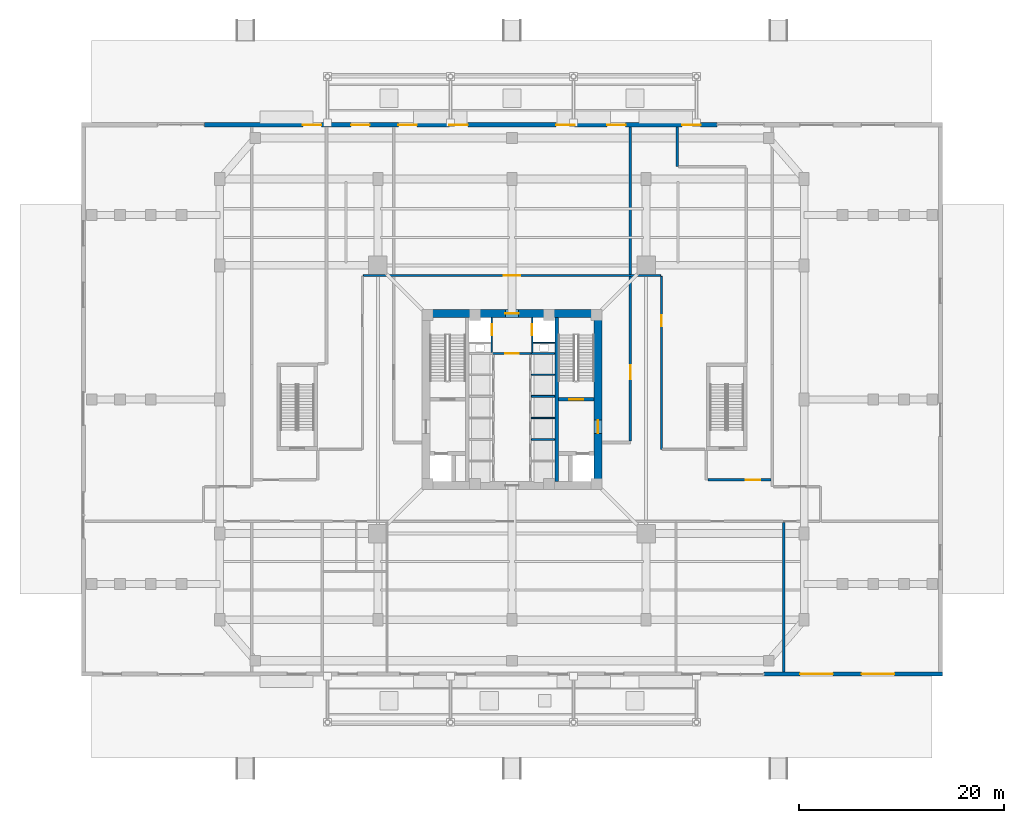
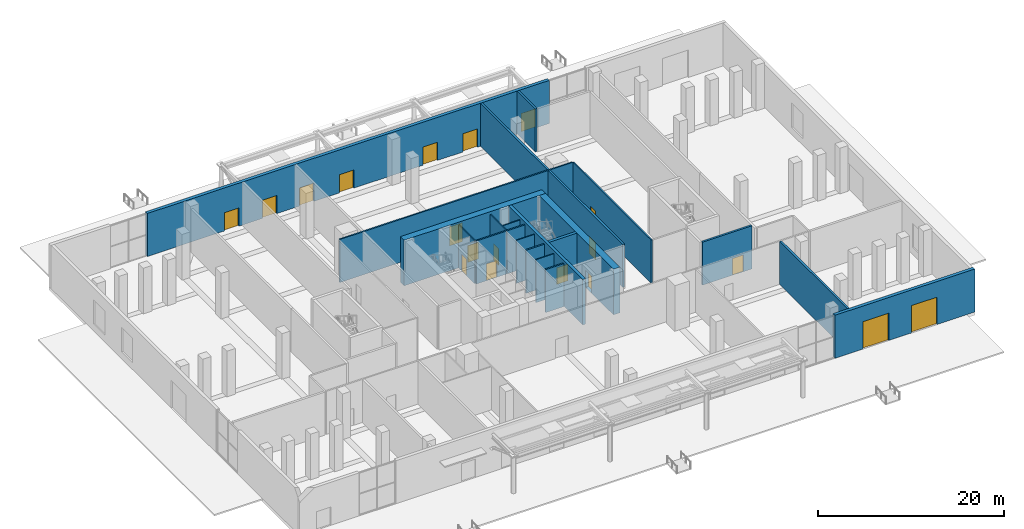
# One storey, part 17 of 25: 21 walls, 19 doors, 19 openings.
"""IFC4 building model written with IfcOpenShell, lengths in metres."""

from ifc_helpers import new_model, si_unit, direction, frame, frame_2d, origin, place, context, subcontext, project, spatial, rectangle, extrude, source, transform, mapped, material, layer, layer_set, type_object, element, fill, save


model = new_model("IFC4")

# Units and contexts
model_context = context("Model", 3, precision=1e-05, world=origin(), true_north=direction((0.0, 1.0)))
body_context = subcontext(model_context, "Body", "Model", "MODEL_VIEW")
ifc_project = project(units=[si_unit("LENGTHUNIT", "METRE"), si_unit("AREAUNIT", "SQUARE_METRE"), si_unit("VOLUMEUNIT", "CUBIC_METRE"), si_unit("PLANEANGLEUNIT", "RADIAN"), si_unit("MASSUNIT", "GRAM", prefix="KILO"), si_unit("THERMODYNAMICTEMPERATUREUNIT", "KELVIN")], contexts=[model_context])

# Site, building, storey
site_placement = place(None, origin())
site = spatial("IfcSite", under=ifc_project, at=site_placement, CompositionType="ELEMENT")
building_placement = place(site_placement, origin())
building = spatial("IfcBuilding", under=site, at=building_placement, Name="Kosmvard Interchange Tower", CompositionType="ELEMENT")
storey_placement = place(building_placement, origin())
storey = spatial("IfcBuildingStorey", under=building, at=storey_placement, Name="L00", CompositionType="ELEMENT", Elevation=0.0)

# Wall, opening, door
ifc_material_1 = material(Name="Fire-rated gypsum partition system")
ifc_layer_1 = layer(ifc_material_1, 0.159912109375, Name="Fire-rated gypsum partition system")
ifc_layer_set_1 = layer_set([ifc_layer_1], Name="Fire-rated gypsum partition system")
wall_type_1 = type_object("IfcWallType", Name="Core Compartment & Shuttle Lobby Partition 160", PredefinedType="PARTITIONING", material=ifc_layer_set_1)
wall_1_placement = place(storey_placement, frame((-1.9599609375, 4.580078125, 0.0), z_axis=(0.0, 0.0, 1.0), x_axis=(0.0, 1.0, 0.0)))
wall_1 = element("IfcWall", 1, at=wall_1_placement, inside=storey, type_object=wall_type_1, Name="L00 North Core West Wall", PredefinedType="PARTITIONING", context=body_context, shape_type="SweptSolid", body=[
    extrude(rectangle(XDim=3.39990234375, YDim=0.159912109375, at=frame_2d((1.699951171875, 0.0))), origin(), (0.0, 0.0, 1.0), 5.659912109375),
])
opening_1_placement = place(wall_1_placement, frame((1.669921875, 0.0, 0.0)))
opening_1 = element("IfcOpeningElement", 2, at=opening_1_placement, cuts=wall_1, Name="Opening LD-OBS1-L00", PredefinedType="OPENING", context=body_context, shape_type="SweptSolid", body=[
    extrude(rectangle(XDim=1.10009765625, YDim=2.199951171875, at=frame_2d((0.550048828125, 1.10009765625))), frame((0.0, 0.08984375, 0.0), z_axis=(0.0, -1.0, 0.0), x_axis=(1.0, 0.0, 0.0)), (0.0, 0.0, 1.0), 0.179931640625),
])
ifc_material_2 = material(Name="Brushed stainless steel sliding leaf", Category="steel")
door_type_1 = type_object("IfcDoorType", Name="Passenger Lift Sliding Landing Door 1100x2200 EI60", OperationType="DOUBLE_DOOR_SLIDING", PredefinedType="DOOR", material=ifc_material_2)
shared_shape_1 = source(origin(), body_context, "Body", "SweptSolid", [
    extrude(rectangle(XDim=1.10009765625, YDim=2.199951171875, at=frame_2d((0.550048828125, 1.10009765625))), frame((0.0, 0.02490234375, 0.0), z_axis=(0.0, -1.0, 0.0), x_axis=(1.0, 0.0, 0.0)), (0.0, 0.0, 1.0), 0.050048828125),
])
door_1_placement = place(opening_1_placement, frame((1.10009765625, 0.0, 0.0), z_axis=(0.0, 0.0, 1.0), x_axis=(-1.0, 0.0, 0.0)))
door_1 = element("IfcDoor", 3, at=door_1_placement, inside=storey, type_object=door_type_1, Name="Lift OBS-1 Landing Door L00", OperationType="DOUBLE_DOOR_SLIDING", OverallHeight=2.199951171875, OverallWidth=1.10009765625, PredefinedType="DOOR", context=body_context, shape_type="MappedRepresentation", body=[
    mapped(shared_shape_1, transform((0.0, 0.0, 0.0), scale=1.0)),
])
fill(opening_1, door_1)

wall_2_placement = place(storey_placement, frame((1.9599609375, 4.580078125, 0.0), z_axis=(0.0, 0.0, 1.0), x_axis=(0.0, 1.0, 0.0)))
wall_2 = element("IfcWall", 4, at=wall_2_placement, inside=storey, type_object=wall_type_1, Name="L00 North Core East Wall", PredefinedType="PARTITIONING", context=body_context, shape_type="SweptSolid", body=[
    extrude(rectangle(XDim=3.39990234375, YDim=0.159912109375, at=frame_2d((1.699951171875, 0.0))), origin(), (0.0, 0.0, 1.0), 5.659912109375),
])
opening_2_placement = place(wall_2_placement, frame((1.669921875, 0.0, 0.0)))
opening_2 = element("IfcOpeningElement", 5, at=opening_2_placement, cuts=wall_2, Name="Opening LD-OBS2-L00", PredefinedType="OPENING", context=body_context, shape_type="SweptSolid", body=[
    extrude(rectangle(XDim=1.10009765625, YDim=2.199951171875, at=frame_2d((0.550048828125, 1.10009765625))), frame((0.0, 0.08984375, 0.0), z_axis=(0.0, -1.0, 0.0), x_axis=(1.0, 0.0, 0.0)), (0.0, 0.0, 1.0), 0.179931640625),
])
door_2_placement = place(opening_2_placement, origin())
door_2 = element("IfcDoor", 6, at=door_2_placement, inside=storey, type_object=door_type_1, Name="Lift OBS-2 Landing Door L00", OperationType="DOUBLE_DOOR_SLIDING", OverallHeight=2.199951171875, OverallWidth=1.10009765625, PredefinedType="DOOR", context=body_context, shape_type="MappedRepresentation", body=[
    mapped(shared_shape_1, transform((0.0, 0.0, 0.0), scale=1.0)),
])
fill(opening_2, door_2)

ifc_layer_2 = layer(ifc_material_1, 0.179931640625, Name="Fire-rated gypsum partition system")
ifc_layer_set_2 = layer_set([ifc_layer_2], Name="Fire-rated gypsum partition system")
wall_type_2 = type_object("IfcWallType", Name="Corridor & Hotel Compartment Partition 180", PredefinedType="PARTITIONING", material=ifc_layer_set_2)
wall_3_placement = place(storey_placement, frame((-1.8798828125, 4.489990234375, 0.0), z_axis=(0.0, 0.0, 1.0), x_axis=(1.0, 0.0, 0.0)))
wall_3 = element("IfcWall", 7, at=wall_3_placement, inside=storey, type_object=wall_type_2, Name="L00 Lift Lobby North Partition", PredefinedType="PARTITIONING", context=body_context, shape_type="SweptSolid", body=[
    extrude(rectangle(XDim=3.759765625, YDim=0.179931640625, at=frame_2d((1.8798828125, 0.0))), origin(), (0.0, 0.0, 1.0), 5.659912109375),
])
opening_3_placement = place(wall_3_placement, frame((1.22998046875, 0.0, 0.0)))
opening_3 = element("IfcOpeningElement", 8, at=opening_3_placement, cuts=wall_3, Name="Opening L00-OD1", PredefinedType="OPENING", context=body_context, shape_type="SweptSolid", body=[
    extrude(rectangle(XDim=1.300048828125, YDim=2.199951171875, at=frame_2d((0.64990234375, 1.10009765625))), frame((0.0, 0.10009765625, 0.0), z_axis=(0.0, -1.0, 0.0), x_axis=(1.0, 0.0, 0.0)), (0.0, 0.0, 1.0), 0.199951171875),
])
ifc_material_3 = material(Name="Painted fire-rated steel leaf", Category="steel")
door_type_2 = type_object("IfcDoorType", Name="Firefighting Lobby Door 1300x2200 EI60", OperationType="NOTDEFINED", PredefinedType="DOOR", material=ifc_material_3)
shared_shape_2 = source(origin(), body_context, "Body", "SweptSolid", [
    extrude(rectangle(XDim=1.300048828125, YDim=2.199951171875, at=frame_2d((0.64990234375, 1.10009765625))), frame((0.0, 0.02490234375, 0.0), z_axis=(0.0, -1.0, 0.0), x_axis=(1.0, 0.0, 0.0)), (0.0, 0.0, 1.0), 0.050048828125),
])
door_3_placement = place(opening_3_placement, origin())
door_3 = element("IfcDoor", 9, at=door_3_placement, inside=storey, type_object=door_type_2, Name="L00 Shuttle Lobby South Door", OperationType="SINGLE_SWING_LEFT", OverallHeight=2.199951171875, OverallWidth=1.300048828125, PredefinedType="DOOR", context=body_context, shape_type="MappedRepresentation", body=[
    mapped(shared_shape_2, transform((0.0, 0.0, 0.0), scale=1.0)),
])
fill(opening_3, door_3)

wall_4_placement = place(storey_placement, frame((14.590087890625, -4.860107421875, 0.0), z_axis=(0.0, 0.0, 1.0), x_axis=(0.0, 1.0, 0.0)))
wall_4 = element("IfcWall", 10, at=wall_4_placement, inside=storey, type_object=wall_type_2, Name="L00 Partition W-CLE", PredefinedType="PARTITIONING", context=body_context, shape_type="SweptSolid", body=[
    extrude(rectangle(XDim=16.860107421875, YDim=0.179931640625, at=frame_2d((8.43017578125, 0.0))), origin(), (0.0, 0.0, 1.0), 5.659912109375),
])
opening_4_placement = place(wall_4_placement, frame((12.0, 0.0, 0.0)))
opening_4 = element("IfcOpeningElement", 11, at=opening_4_placement, cuts=wall_4, Name="Opening L00-D12", PredefinedType="OPENING", context=body_context, shape_type="SweptSolid", body=[
    extrude(rectangle(XDim=1.10009765625, YDim=2.199951171875, at=frame_2d((0.550048828125, 1.10009765625))), frame((0.0, 0.10009765625, 0.0), z_axis=(0.0, -1.0, 0.0), x_axis=(1.0, 0.0, 0.0)), (0.0, 0.0, 1.0), 0.199951171875),
])
ifc_material_4 = material(Name="Engineered oak fire-rated timber", Category="wood")
door_type_3 = type_object("IfcDoorType", Name="Office Suite Entrance Door 1100x2200 FD30S", OperationType="NOTDEFINED", PredefinedType="DOOR", material=ifc_material_4)
door_4_placement = place(opening_4_placement, frame((1.10009765625, 0.0, 0.0), z_axis=(0.0, 0.0, 1.0), x_axis=(-1.0, 0.0, 0.0)))
door_4 = element("IfcDoor", 12, at=door_4_placement, inside=storey, type_object=door_type_3, Name="L00 Interior Door 12", OperationType="SINGLE_SWING_RIGHT", OverallHeight=2.199951171875, OverallWidth=1.10009765625, PredefinedType="DOOR", context=body_context, shape_type="MappedRepresentation", body=[
    mapped(shared_shape_1, transform((0.0, 0.0, 0.0), scale=1.0)),
])
fill(opening_4, door_4)

wall_5_placement = place(storey_placement, frame((-14.5, 12.090087890625, 0.0), z_axis=(0.0, 0.0, 1.0), x_axis=(1.0, 0.0, 0.0)))
wall_5 = element("IfcWall", 13, at=wall_5_placement, inside=storey, type_object=wall_type_2, Name="L00 Partition W-CLN", PredefinedType="PARTITIONING", context=body_context, shape_type="SweptSolid", body=[
    extrude(rectangle(XDim=29.0, YDim=0.179931640625, at=frame_2d((14.5, 0.0))), origin(), (0.0, 0.0, 1.0), 5.659912109375),
])
opening_5_placement = place(wall_5_placement, frame((13.699951171875, 0.0, 0.0)))
opening_5 = element("IfcOpeningElement", 14, at=opening_5_placement, cuts=wall_5, Name="Opening L00-D08", PredefinedType="OPENING", context=body_context, shape_type="SweptSolid", body=[
    extrude(rectangle(XDim=1.60009765625, YDim=2.5, at=frame_2d((0.800048828125, 1.25))), frame((0.0, 0.10009765625, 0.0), z_axis=(0.0, -1.0, 0.0), x_axis=(1.0, 0.0, 0.0)), (0.0, 0.0, 1.0), 0.199951171875),
])
ifc_material_5 = material(Name="Anodised aluminium and safety glass", Category="aluminium")
door_type_4 = type_object("IfcDoorType", Name="Concourse Entrance Glazed Door 1600x2500", OperationType="NOTDEFINED", PredefinedType="DOOR", material=ifc_material_5)
shared_shape_3 = source(origin(), body_context, "Body", "SweptSolid", [
    extrude(rectangle(XDim=1.60009765625, YDim=2.5, at=frame_2d((0.800048828125, 1.25))), frame((0.0, 0.02490234375, 0.0), z_axis=(0.0, -1.0, 0.0), x_axis=(1.0, 0.0, 0.0)), (0.0, 0.0, 1.0), 0.050048828125),
])
door_5_placement = place(opening_5_placement, origin())
door_5 = element("IfcDoor", 15, at=door_5_placement, inside=storey, type_object=door_type_4, Name="L00 Interior Door 8", OperationType="SINGLE_SWING_LEFT", OverallHeight=2.5, OverallWidth=1.60009765625, PredefinedType="DOOR", context=body_context, shape_type="MappedRepresentation", body=[
    mapped(shared_shape_3, transform((0.0, 0.0, 0.0), scale=1.0)),
])
fill(opening_5, door_5)

ifc_material_6 = material(Name="Concrete blockwork masonry", Category="masonry")
ifc_layer_3 = layer(ifc_material_6, 0.25, Name="Concrete blockwork masonry")
ifc_layer_set_3 = layer_set([ifc_layer_3], Name="Concrete blockwork masonry")
wall_type_3 = type_object("IfcWallType", Name="Exit Passage & Firefighting Lobby Wall 250", PredefinedType="PARTITIONING", material=ifc_layer_set_3)
wall_6_placement = place(storey_placement, frame((11.550048828125, -4.050048828125, 0.0), z_axis=(0.0, 0.0, 1.0), x_axis=(0.0, 1.0, 0.0)))
wall_6 = element("IfcWall", 16, at=wall_6_placement, inside=storey, type_object=wall_type_3, Name="L00 Exit Passageway E Wall", PredefinedType="PARTITIONING", context=body_context, shape_type="SweptSolid", body=[
    extrude(rectangle(XDim=30.64794921875, YDim=0.25, at=frame_2d((15.323974609375, 0.0))), origin(), (0.0, 0.0, 1.0), 5.659912109375),
])
opening_6_placement = place(wall_6_placement, frame((6.0, 0.0, 0.0)))
opening_6 = element("IfcOpeningElement", 17, at=opening_6_placement, cuts=wall_6, Name="Opening L00-EPDE", PredefinedType="OPENING", context=body_context, shape_type="SweptSolid", body=[
    extrude(rectangle(XDim=1.39990234375, YDim=2.199951171875, at=frame_2d((0.699951171875, 1.10009765625))), frame((0.0, 0.135009765625, 0.0), z_axis=(0.0, -1.0, 0.0), x_axis=(1.0, 0.0, 0.0)), (0.0, 0.0, 1.0), 0.27001953125),
])
door_type_5 = type_object("IfcDoorType", Name="Protected Stair Door 1400x2200 FD60S", OperationType="NOTDEFINED", PredefinedType="DOOR", material=ifc_material_3)
shared_shape_4 = source(origin(), body_context, "Body", "SweptSolid", [
    extrude(rectangle(XDim=1.39990234375, YDim=2.199951171875, at=frame_2d((0.699951171875, 1.10009765625))), frame((0.0, 0.02490234375, 0.0), z_axis=(0.0, -1.0, 0.0), x_axis=(1.0, 0.0, 0.0)), (0.0, 0.0, 1.0), 0.050048828125),
])
door_6_placement = place(opening_6_placement, origin())
door_6 = element("IfcDoor", 18, at=door_6_placement, inside=storey, type_object=door_type_5, Name="L00 Concourse to Exit Passageway E Door", OperationType="SINGLE_SWING_RIGHT", OverallHeight=2.199951171875, OverallWidth=1.39990234375, PredefinedType="DOOR", context=body_context, shape_type="MappedRepresentation", body=[
    mapped(shared_shape_4, transform((0.0, 0.0, 0.0), scale=1.0)),
])
fill(opening_6, door_6)

wall_7_placement = place(storey_placement, frame((19.10009765625, -7.85009765625, 0.0), z_axis=(0.0, 0.0, 1.0), x_axis=(1.0, 0.0, 0.0)))
wall_7 = element("IfcWall", 19, at=wall_7_placement, inside=storey, type_object=wall_type_3, Name="L00 Partition EP4S", PredefinedType="PARTITIONING", context=body_context, shape_type="SweptSolid", body=[
    extrude(rectangle(XDim=6.14990234375, YDim=0.25, at=frame_2d((3.074951171875, 0.0))), origin(), (0.0, 0.0, 1.0), 5.659912109375),
])
opening_7_placement = place(wall_7_placement, frame((3.699951171875, 0.0, 0.0)))
opening_7 = element("IfcOpeningElement", 20, at=opening_7_placement, cuts=wall_7, Name="Opening L00-EPD4", PredefinedType="OPENING", context=body_context, shape_type="SweptSolid", body=[
    extrude(rectangle(XDim=1.39990234375, YDim=2.199951171875, at=frame_2d((0.699951171875, 1.10009765625))), frame((0.0, 0.135009765625, 0.0), z_axis=(0.0, -1.0, 0.0), x_axis=(1.0, 0.0, 0.0)), (0.0, 0.0, 1.0), 0.27001953125),
])
door_7_placement = place(opening_7_placement, origin())
door_7 = element("IfcDoor", 21, at=door_7_placement, inside=storey, type_object=door_type_5, Name="L00 Concourse to Exit Passageway SE Door", OperationType="SINGLE_SWING_RIGHT", OverallHeight=2.199951171875, OverallWidth=1.39990234375, PredefinedType="DOOR", context=body_context, shape_type="MappedRepresentation", body=[
    mapped(shared_shape_4, transform((0.0, 0.0, 0.0), scale=1.0)),
])
fill(opening_7, door_7)

# Walls
wall_8_placement = place(storey_placement, frame((16.1201171875, 22.719970703125, 0.0), z_axis=(0.0, 0.0, 1.0), x_axis=(0.0, 1.0, 0.0)))
element("IfcWall", 22, at=wall_8_placement, inside=storey, type_object=wall_type_3, Name="L00 Partition EP4B2", PredefinedType="PARTITIONING", context=body_context, shape_type="SweptSolid", body=[
    extrude(rectangle(XDim=3.8779296875, YDim=0.25, at=frame_2d((1.93896484375, 0.0))), origin(), (0.0, 0.0, 1.0), 5.659912109375),
])
wall_9_placement = place(storey_placement, frame((26.5, -26.597900390625, 0.0), z_axis=(0.0, 0.0, 1.0), x_axis=(0.0, 1.0, 0.0)))
element("IfcWall", 23, at=wall_9_placement, inside=storey, type_object=wall_type_3, Name="L00 Partition W-LD1", PredefinedType="PARTITIONING", context=body_context, shape_type="SweptSolid", body=[
    extrude(rectangle(XDim=14.597900390625, YDim=0.25, at=frame_2d((7.298828125, 0.0))), origin(), (0.0, 0.0, 1.0), 5.659912109375),
])

# Wall, opening, door
ifc_material_7 = material(Name="Concrete C80/95", Category="concrete")
ifc_layer_4 = layer(ifc_material_7, 0.800048828125, Name="Concrete C80/95")
ifc_layer_set_4 = layer_set([ifc_layer_4], Name="Concrete C80/95")
wall_type_4 = type_object("IfcWallType", Name="Lower Core Shear Wall 800 C80/95", PredefinedType="SHEAR", material=ifc_layer_set_4)
wall_10_placement = place(storey_placement, frame((-8.800048828125, 8.39990234375, 0.0), z_axis=(0.0, 0.0, 1.0), x_axis=(1.0, 0.0, 0.0)))
wall_10 = element("IfcWall", 24, at=wall_10_placement, inside=storey, type_object=wall_type_4, Name="L00 Core Shear Wall CW-N", PredefinedType="SHEAR", context=body_context, shape_type="SweptSolid", body=[
    extrude(rectangle(XDim=17.60009765625, YDim=0.800048828125, at=frame_2d((8.800048828125, 0.0))), origin(), (0.0, 0.0, 1.0), 6.0),
])
opening_8_placement = place(wall_10_placement, frame((8.14990234375, 0.0, 0.0)))
opening_8 = element("IfcOpeningElement", 25, at=opening_8_placement, cuts=wall_10, Name="Opening L00-OD2", PredefinedType="OPENING", context=body_context, shape_type="SweptSolid", body=[
    extrude(rectangle(XDim=1.300048828125, YDim=2.199951171875, at=frame_2d((0.64990234375, 1.10009765625))), frame((0.0, 0.41015625, 0.0), z_axis=(0.0, -1.0, 0.0), x_axis=(1.0, 0.0, 0.0)), (0.0, 0.0, 1.0), 0.820068359375),
])
door_8_placement = place(opening_8_placement, origin())
door_8 = element("IfcDoor", 26, at=door_8_placement, inside=storey, type_object=door_type_2, Name="L00 Shuttle Lobby North Door", OperationType="SINGLE_SWING_RIGHT", OverallHeight=2.199951171875, OverallWidth=1.300048828125, PredefinedType="DOOR", context=body_context, shape_type="MappedRepresentation", body=[
    mapped(shared_shape_2, transform((0.0, 0.0, 0.0), scale=1.0)),
])
fill(opening_8, door_8)

wall_11_placement = place(storey_placement, frame((8.39990234375, -8.0, 0.0), z_axis=(0.0, 0.0, 1.0), x_axis=(0.0, 1.0, 0.0)))
wall_11 = element("IfcWall", 27, at=wall_11_placement, inside=storey, type_object=wall_type_4, Name="L00 Core Shear Wall CW-E", PredefinedType="SHEAR", context=body_context, shape_type="SweptSolid", body=[
    extrude(rectangle(XDim=16.0, YDim=0.800048828125, at=frame_2d((8.0, 0.0))), origin(), (0.0, 0.0, 1.0), 6.0),
])
opening_9_placement = place(wall_11_placement, frame((4.68994140625, 0.0, 0.0)))
opening_9 = element("IfcOpeningElement", 28, at=opening_9_placement, cuts=wall_11, Name="Opening L00-FD2", PredefinedType="OPENING", context=body_context, shape_type="SweptSolid", body=[
    extrude(rectangle(XDim=1.300048828125, YDim=2.199951171875, at=frame_2d((0.64990234375, 1.10009765625))), frame((0.0, 0.41015625, 0.0), z_axis=(0.0, -1.0, 0.0), x_axis=(1.0, 0.0, 0.0)), (0.0, 0.0, 1.0), 0.820068359375),
])
door_9_placement = place(opening_9_placement, frame((1.300048828125, 0.0, 0.0), z_axis=(0.0, 0.0, 1.0), x_axis=(-1.0, 0.0, 0.0)))
door_9 = element("IfcDoor", 29, at=door_9_placement, inside=storey, type_object=door_type_2, Name="L00 Firefighting Lobby East Door", OperationType="SINGLE_SWING_RIGHT", OverallHeight=2.199951171875, OverallWidth=1.300048828125, PredefinedType="DOOR", context=body_context, shape_type="MappedRepresentation", body=[
    mapped(shared_shape_2, transform((0.0, 0.0, 0.0), scale=1.0)),
])
fill(opening_9, door_9)

# Wall, openings, doors
ifc_material_8 = material(Name="Precast concrete C45/55", Category="concrete")
ifc_layer_5 = layer(ifc_material_8, 0.39990234375, Name="Precast concrete C45/55")
ifc_layer_set_5 = layer_set([ifc_layer_5], Name="Precast concrete C45/55")
wall_type_5 = type_object("IfcWallType", Name="Podium Precast Stone Pier Wall 400 C45/55", PredefinedType="STANDARD", material=ifc_layer_set_5)
wall_12_placement = place(storey_placement, frame((24.60009765625, -26.800048828125, 0.0), z_axis=(0.0, 0.0, 1.0), x_axis=(1.0, 0.0, 0.0)))
wall_12 = element("IfcWall", 30, at=wall_12_placement, inside=storey, type_object=wall_type_5, Name="L00 Exterior Precast Wall EW-S3", PredefinedType="STANDARD", context=body_context, shape_type="SweptSolid", body=[
    extrude(rectangle(XDim=17.39990234375, YDim=0.39990234375, at=frame_2d((8.699951171875, 0.0))), origin(), (0.0, 0.0, 1.0), 5.659912109375),
])
opening_10_placement = place(wall_12_placement, frame((3.5, 0.0, 0.0)))
opening_10 = element("IfcOpeningElement", 31, at=opening_10_placement, cuts=wall_12, Name="Opening GT-01", PredefinedType="OPENING", context=body_context, shape_type="SweptSolid", body=[
    extrude(rectangle(XDim=3.199951171875, YDim=3.60009765625, at=frame_2d((1.60009765625, 1.800048828125))), frame((0.0, 0.2099609375, 0.0), z_axis=(0.0, -1.0, 0.0), x_axis=(1.0, 0.0, 0.0)), (0.0, 0.0, 1.0), 0.419921875),
])
opening_11_placement = place(wall_12_placement, frame((9.5, 0.0, 0.0)))
opening_11 = element("IfcOpeningElement", 32, at=opening_11_placement, cuts=wall_12, Name="Opening GT-02", PredefinedType="OPENING", context=body_context, shape_type="SweptSolid", body=[
    extrude(rectangle(XDim=3.199951171875, YDim=3.60009765625, at=frame_2d((1.60009765625, 1.800048828125))), frame((0.0, 0.2099609375, 0.0), z_axis=(0.0, -1.0, 0.0), x_axis=(1.0, 0.0, 0.0)), (0.0, 0.0, 1.0), 0.419921875),
])
ifc_material_9 = material(Name="Galvanised insulated steel gate", Category="steel")
door_type_6 = type_object("IfcDoorType", Name="Loading & Plant Bay Service Gate 3200x3600", OperationType="NOTDEFINED", PredefinedType="GATE", material=ifc_material_9)
shared_shape_5 = source(origin(), body_context, "Body", "SweptSolid", [
    extrude(rectangle(XDim=3.199951171875, YDim=3.60009765625, at=frame_2d((1.60009765625, 1.800048828125))), frame((0.0, 0.02490234375, 0.0), z_axis=(0.0, -1.0, 0.0), x_axis=(1.0, 0.0, 0.0)), (0.0, 0.0, 1.0), 0.050048828125),
])
door_10_placement = place(opening_10_placement, frame((3.199951171875, 0.0, 0.0), z_axis=(0.0, 0.0, 1.0), x_axis=(-1.0, 0.0, 0.0)))
door_10 = element("IfcDoor", 33, at=door_10_placement, inside=storey, type_object=door_type_6, Name="L00 Service Bay Gate 1", OperationType="SINGLE_SWING_LEFT", OverallHeight=3.60009765625, OverallWidth=3.199951171875, PredefinedType="GATE", context=body_context, shape_type="MappedRepresentation", body=[
    mapped(shared_shape_5, transform((0.0, 0.0, 0.0), scale=1.0)),
])
fill(opening_10, door_10)
door_11_placement = place(opening_11_placement, frame((3.199951171875, 0.0, 0.0), z_axis=(0.0, 0.0, 1.0), x_axis=(-1.0, 0.0, 0.0)))
door_11 = element("IfcDoor", 34, at=door_11_placement, inside=storey, type_object=door_type_6, Name="L00 Service Bay Gate 2", OperationType="SINGLE_SWING_RIGHT", OverallHeight=3.60009765625, OverallWidth=3.199951171875, PredefinedType="GATE", context=body_context, shape_type="MappedRepresentation", body=[
    mapped(shared_shape_5, transform((0.0, 0.0, 0.0), scale=1.0)),
])
fill(opening_11, door_11)

wall_13_placement = place(storey_placement, frame((-30.0, 26.800048828125, 0.0), z_axis=(0.0, 0.0, 1.0), x_axis=(1.0, 0.0, 0.0)))
wall_13 = element("IfcWall", 35, at=wall_13_placement, inside=storey, type_object=wall_type_5, Name="L00 Exterior Precast Wall EW-N2", PredefinedType="STANDARD", context=body_context, shape_type="SweptSolid", body=[
    extrude(rectangle(XDim=50.0, YDim=0.39990234375, at=frame_2d((25.0, 0.0))), origin(), (0.0, 0.0, 1.0), 5.659912109375),
])
opening_12_placement = place(wall_13_placement, frame((9.60009765625, 0.0, 0.0)))
opening_12 = element("IfcOpeningElement", 36, at=opening_12_placement, cuts=wall_13, Name="Opening L00-EXN1", PredefinedType="OPENING", context=body_context, shape_type="SweptSolid", body=[
    extrude(rectangle(XDim=1.800048828125, YDim=2.39990234375, at=frame_2d((0.89990234375, 1.199951171875))), frame((0.0, 0.2099609375, 0.0), z_axis=(0.0, -1.0, 0.0), x_axis=(1.0, 0.0, 0.0)), (0.0, 0.0, 1.0), 0.419921875),
])
opening_13_placement = place(wall_13_placement, frame((14.300048828125, 0.0, 0.0)))
opening_13 = element("IfcOpeningElement", 37, at=opening_13_placement, cuts=wall_13, Name="Opening L00-EXN2", PredefinedType="OPENING", context=body_context, shape_type="SweptSolid", body=[
    extrude(rectangle(XDim=1.800048828125, YDim=2.39990234375, at=frame_2d((0.89990234375, 1.199951171875))), frame((0.0, 0.2099609375, 0.0), z_axis=(0.0, -1.0, 0.0), x_axis=(1.0, 0.0, 0.0)), (0.0, 0.0, 1.0), 0.419921875),
])
opening_14_placement = place(wall_13_placement, frame((18.925048828125, 0.0, 0.0)))
opening_14 = element("IfcOpeningElement", 38, at=opening_14_placement, cuts=wall_13, Name="Opening L00-EXN3", PredefinedType="OPENING", context=body_context, shape_type="SweptSolid", body=[
    extrude(rectangle(XDim=1.800048828125, YDim=2.39990234375, at=frame_2d((0.89990234375, 1.199951171875))), frame((0.0, 0.2099609375, 0.0), z_axis=(0.0, -1.0, 0.0), x_axis=(1.0, 0.0, 0.0)), (0.0, 0.0, 1.0), 0.419921875),
])
opening_15_placement = place(wall_13_placement, frame((23.89990234375, 0.0, 0.0)))
opening_15 = element("IfcOpeningElement", 39, at=opening_15_placement, cuts=wall_13, Name="Opening L00-EXN4", PredefinedType="OPENING", context=body_context, shape_type="SweptSolid", body=[
    extrude(rectangle(XDim=1.800048828125, YDim=2.39990234375, at=frame_2d((0.89990234375, 1.199951171875))), frame((0.0, 0.2099609375, 0.0), z_axis=(0.0, -1.0, 0.0), x_axis=(1.0, 0.0, 0.0)), (0.0, 0.0, 1.0), 0.419921875),
])
opening_16_placement = place(wall_13_placement, frame((34.300048828125, 0.0, 0.0)))
opening_16 = element("IfcOpeningElement", 40, at=opening_16_placement, cuts=wall_13, Name="Opening L00-EXN5", PredefinedType="OPENING", context=body_context, shape_type="SweptSolid", body=[
    extrude(rectangle(XDim=1.800048828125, YDim=2.39990234375, at=frame_2d((0.89990234375, 1.199951171875))), frame((0.0, 0.2099609375, 0.0), z_axis=(0.0, -1.0, 0.0), x_axis=(1.0, 0.0, 0.0)), (0.0, 0.0, 1.0), 0.419921875),
])
opening_17_placement = place(wall_13_placement, frame((39.27490234375, 0.0, 0.0)))
opening_17 = element("IfcOpeningElement", 41, at=opening_17_placement, cuts=wall_13, Name="Opening L00-EXN6", PredefinedType="OPENING", context=body_context, shape_type="SweptSolid", body=[
    extrude(rectangle(XDim=1.800048828125, YDim=2.39990234375, at=frame_2d((0.89990234375, 1.199951171875))), frame((0.0, 0.2099609375, 0.0), z_axis=(0.0, -1.0, 0.0), x_axis=(1.0, 0.0, 0.0)), (0.0, 0.0, 1.0), 0.419921875),
])
opening_18_placement = place(wall_13_placement, frame((46.60009765625, 0.0, 0.0)))
opening_18 = element("IfcOpeningElement", 42, at=opening_18_placement, cuts=wall_13, Name="Opening L00-EXN7", PredefinedType="OPENING", context=body_context, shape_type="SweptSolid", body=[
    extrude(rectangle(XDim=1.800048828125, YDim=2.39990234375, at=frame_2d((0.89990234375, 1.199951171875))), frame((0.0, 0.2099609375, 0.0), z_axis=(0.0, -1.0, 0.0), x_axis=(1.0, 0.0, 0.0)), (0.0, 0.0, 1.0), 0.419921875),
])
door_type_7 = type_object("IfcDoorType", Name="Final Exit Discharge Door 1800x2400 FD60S", OperationType="NOTDEFINED", PredefinedType="DOOR", material=ifc_material_5)
shared_shape_6 = source(origin(), body_context, "Body", "SweptSolid", [
    extrude(rectangle(XDim=1.800048828125, YDim=2.39990234375, at=frame_2d((0.89990234375, 1.199951171875))), frame((0.0, 0.02490234375, 0.0), z_axis=(0.0, -1.0, 0.0), x_axis=(1.0, 0.0, 0.0)), (0.0, 0.0, 1.0), 0.050048828125),
])
door_12_placement = place(opening_12_placement, origin())
door_12 = element("IfcDoor", 43, at=door_12_placement, inside=storey, type_object=door_type_7, Name="L00 North Final Exit Door 1", OperationType="SINGLE_SWING_LEFT", OverallHeight=2.39990234375, OverallWidth=1.800048828125, PredefinedType="DOOR", context=body_context, shape_type="MappedRepresentation", body=[
    mapped(shared_shape_6, transform((0.0, 0.0, 0.0), scale=1.0)),
])
fill(opening_12, door_12)
door_13_placement = place(opening_13_placement, origin())
door_13 = element("IfcDoor", 44, at=door_13_placement, inside=storey, type_object=door_type_7, Name="L00 North Final Exit Door 2", OperationType="SINGLE_SWING_RIGHT", OverallHeight=2.39990234375, OverallWidth=1.800048828125, PredefinedType="DOOR", context=body_context, shape_type="MappedRepresentation", body=[
    mapped(shared_shape_6, transform((0.0, 0.0, 0.0), scale=1.0)),
])
fill(opening_13, door_13)
door_14_placement = place(opening_14_placement, origin())
door_14 = element("IfcDoor", 45, at=door_14_placement, inside=storey, type_object=door_type_7, Name="L00 North Final Exit Door 3", OperationType="SINGLE_SWING_LEFT", OverallHeight=2.39990234375, OverallWidth=1.800048828125, PredefinedType="DOOR", context=body_context, shape_type="MappedRepresentation", body=[
    mapped(shared_shape_6, transform((0.0, 0.0, 0.0), scale=1.0)),
])
fill(opening_14, door_14)
door_15_placement = place(opening_15_placement, origin())
door_15 = element("IfcDoor", 46, at=door_15_placement, inside=storey, type_object=door_type_7, Name="L00 North Final Exit Door 4", OperationType="SINGLE_SWING_RIGHT", OverallHeight=2.39990234375, OverallWidth=1.800048828125, PredefinedType="DOOR", context=body_context, shape_type="MappedRepresentation", body=[
    mapped(shared_shape_6, transform((0.0, 0.0, 0.0), scale=1.0)),
])
fill(opening_15, door_15)
door_16_placement = place(opening_16_placement, origin())
door_16 = element("IfcDoor", 47, at=door_16_placement, inside=storey, type_object=door_type_7, Name="L00 North Final Exit Door 5", OperationType="SINGLE_SWING_LEFT", OverallHeight=2.39990234375, OverallWidth=1.800048828125, PredefinedType="DOOR", context=body_context, shape_type="MappedRepresentation", body=[
    mapped(shared_shape_6, transform((0.0, 0.0, 0.0), scale=1.0)),
])
fill(opening_16, door_16)
door_17_placement = place(opening_17_placement, origin())
door_17 = element("IfcDoor", 48, at=door_17_placement, inside=storey, type_object=door_type_7, Name="L00 North Final Exit Door 6", OperationType="SINGLE_SWING_RIGHT", OverallHeight=2.39990234375, OverallWidth=1.800048828125, PredefinedType="DOOR", context=body_context, shape_type="MappedRepresentation", body=[
    mapped(shared_shape_6, transform((0.0, 0.0, 0.0), scale=1.0)),
])
fill(opening_17, door_17)
door_18_placement = place(opening_18_placement, origin())
door_18 = element("IfcDoor", 49, at=door_18_placement, inside=storey, type_object=door_type_7, Name="L00 North Final Exit Door 7", OperationType="SINGLE_SWING_LEFT", OverallHeight=2.39990234375, OverallWidth=1.800048828125, PredefinedType="DOOR", context=body_context, shape_type="MappedRepresentation", body=[
    mapped(shared_shape_6, transform((0.0, 0.0, 0.0), scale=1.0)),
])
fill(opening_18, door_18)

# Walls
ifc_layer_6 = layer(ifc_material_6, 0.179931640625, Name="Concrete blockwork masonry")
ifc_layer_set_6 = layer_set([ifc_layer_6], Name="Concrete blockwork masonry")
wall_type_6 = type_object("IfcWallType", Name="Riser & Lift Bank Divider Wall 180", PredefinedType="PARTITIONING", material=ifc_layer_set_6)
for number, where, z_axis, x_axis, name in (
    (50, (1.889892578125, -3.89990234375, 0.0), (0.0, 0.0, 1.0), (1.0, 0.0, 0.0), "L00 East Bank Divider BD1"),
    (51, (1.889892578125, 0.300048828125, 0.0), (0.0, 0.0, 1.0), (1.0, 0.0, 0.0), "L00 East Bank Divider BD2"),
    (52, (1.889892578125, 4.489990234375, 0.0), (0.0, 0.0, 1.0), (1.0, 0.0, 0.0), "L00 East Bank Divider BD3"),
):
    element("IfcWall", number, at=place(storey_placement, frame(where, z_axis=z_axis, x_axis=x_axis)), inside=storey, type_object=wall_type_6, Name=name, PredefinedType="PARTITIONING", context=body_context, shape_type="SweptSolid", body=[
        extrude(rectangle(XDim=2.280029296875, YDim=0.179931640625, at=frame_2d((1.14013671875, 0.0))), origin(), (0.0, 0.0, 1.0), 5.659912109375),
    ])
ifc_material_10 = material(Name="Fire-rated gypsum shaftwall system")
ifc_layer_7 = layer(ifc_material_10, 0.1201171875, Name="Fire-rated gypsum shaftwall system")
ifc_layer_set_7 = layer_set([ifc_layer_7], Name="Fire-rated gypsum shaftwall system")
wall_type_7 = type_object("IfcWallType", Name="Shaft & Riser Fire Partition 120 EI60", PredefinedType="PARTITIONING", material=ifc_layer_set_7)
for number, where, z_axis, x_axis, name in (
    (53, (1.89990234375, -1.800048828125, 0.0), (0.0, 0.0, 1.0), (1.0, 0.0, 0.0), "L00 Shaft Divider PL-M3"),
    (54, (1.89990234375, 2.39990234375, 0.0), (0.0, 0.0, 1.0), (1.0, 0.0, 0.0), "L00 Shaft Divider PL-H3"),
):
    element("IfcWall", number, at=place(storey_placement, frame(where, z_axis=z_axis, x_axis=x_axis)), inside=storey, type_object=wall_type_7, Name=name, PredefinedType="PARTITIONING", context=body_context, shape_type="SweptSolid", body=[
        extrude(rectangle(XDim=2.260009765625, YDim=0.1201171875, at=frame_2d((1.1298828125, 0.0))), origin(), (0.0, 0.0, 1.0), 5.659912109375),
    ])
wall_14_placement = place(storey_placement, frame((2.06005859375, 5.52001953125, 0.0), z_axis=(0.0, 0.0, 1.0), x_axis=(1.0, 0.0, 0.0)))
element("IfcWall", 55, at=wall_14_placement, inside=storey, type_object=wall_type_7, Name="L00 Riser Shaft Divider E", PredefinedType="PARTITIONING", context=body_context, shape_type="SweptSolid", body=[
    extrude(rectangle(XDim=2.099853515625, YDim=0.1201171875, at=frame_2d((1.0498046875, 0.0))), origin(), (0.0, 0.0, 1.0), 5.659912109375),
])
ifc_material_11 = material(Name="Concrete C60/75", Category="concrete")
ifc_layer_8 = layer(ifc_material_11, 0.360107421875, Name="Concrete C60/75")
ifc_layer_set_8 = layer_set([ifc_layer_8], Name="Concrete C60/75")
wall_type_8 = type_object("IfcWallType", Name="Stair & Lift Shaft Shear Wall 360 C60/75", PredefinedType="SHEAR", material=ifc_layer_set_8)
wall_15_placement = place(storey_placement, frame((4.360107421875, -8.0, 0.0), z_axis=(0.0, 0.0, 1.0), x_axis=(0.0, 1.0, 0.0)))
element("IfcWall", 56, at=wall_15_placement, inside=storey, type_object=wall_type_8, Name="L00 Shaft Shear Wall SW-E", PredefinedType="SHEAR", context=body_context, shape_type="SweptSolid", body=[
    extrude(rectangle(XDim=16.0, YDim=0.360107421875, at=frame_2d((8.0, 0.0))), origin(), (0.0, 0.0, 1.0), 6.0),
])

# Wall, opening, door
wall_16_placement = place(storey_placement, frame((4.5400390625, 0.02001953125, 0.0), z_axis=(0.0, 0.0, 1.0), x_axis=(1.0, 0.0, 0.0)))
wall_16 = element("IfcWall", 57, at=wall_16_placement, inside=storey, type_object=wall_type_8, Name="L00 Shaft Shear Wall SW-ST2", PredefinedType="SHEAR", context=body_context, shape_type="SweptSolid", body=[
    extrude(rectangle(XDim=3.4599609375, YDim=0.360107421875, at=frame_2d((1.72998046875, 0.0))), origin(), (0.0, 0.0, 1.0), 6.0),
])
opening_19_placement = place(wall_16_placement, frame((1.030029296875, 0.0, 0.0)))
opening_19 = element("IfcOpeningElement", 58, at=opening_19_placement, cuts=wall_16, Name="Opening L00-SD2", PredefinedType="OPENING", context=body_context, shape_type="SweptSolid", body=[
    extrude(rectangle(XDim=1.39990234375, YDim=2.199951171875, at=frame_2d((0.699951171875, 1.10009765625))), frame((0.0, 0.18994140625, 0.0), z_axis=(0.0, -1.0, 0.0), x_axis=(1.0, 0.0, 0.0)), (0.0, 0.0, 1.0), 0.380126953125),
])
door_19_placement = place(opening_19_placement, frame((1.39990234375, 0.0, 0.0), z_axis=(0.0, 0.0, 1.0), x_axis=(-1.0, 0.0, 0.0)))
door_19 = element("IfcDoor", 59, at=door_19_placement, inside=storey, type_object=door_type_5, Name="L00 Stair ST-2 Enclosure Door", OperationType="SINGLE_SWING_RIGHT", OverallHeight=2.199951171875, OverallWidth=1.39990234375, PredefinedType="DOOR", context=body_context, shape_type="MappedRepresentation", body=[
    mapped(shared_shape_4, transform((0.0, 0.0, 0.0), scale=1.0)),
])
fill(opening_19, door_19)

save(model, "model.ifc")
